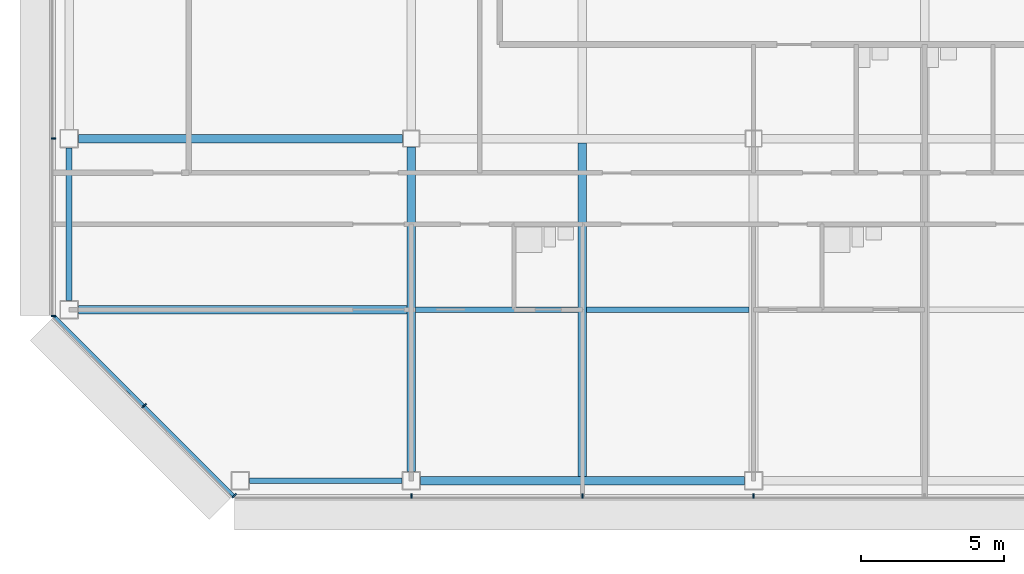
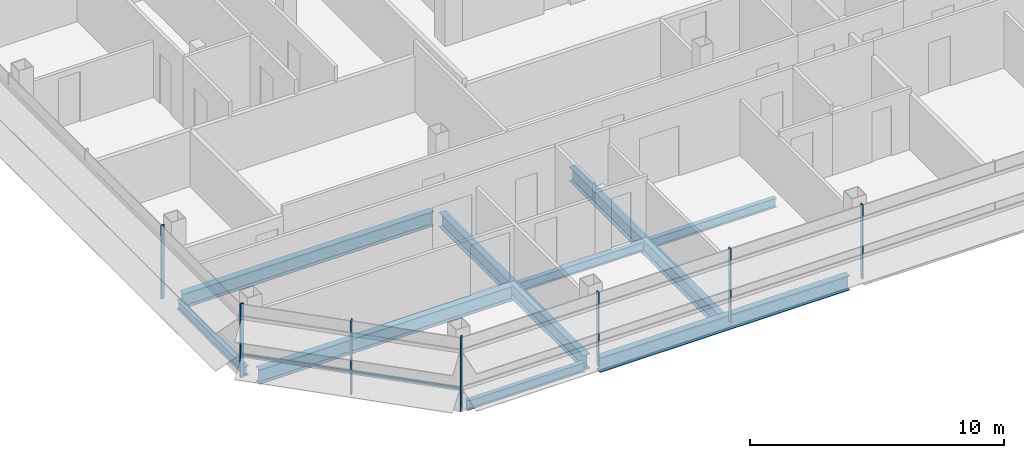
# One storey, part 2 of 27: 9 beams, 8 members, 3 elements without a shape of their own.
"""IFC4 building model written with IfcOpenShell, lengths in metres."""

from ifc_helpers import new_model, si_unit, direction, frame, origin, origin_2d, place, context, subcontext, project, spatial, rectangle, i_section, extrude, material, material_profile, profile_set, type_object, element, aggregate, save


model = new_model("IFC4")

# Units and contexts
model_context = context("Model", 3, precision=1e-05, world=origin(), true_north=direction((0.0, 1.0)))
body_context = subcontext(model_context, "Body", "Model", "MODEL_VIEW")
ifc_project = project(units=[si_unit("LENGTHUNIT", "METRE"), si_unit("AREAUNIT", "SQUARE_METRE"), si_unit("VOLUMEUNIT", "CUBIC_METRE"), si_unit("PLANEANGLEUNIT", "RADIAN"), si_unit("MASSUNIT", "GRAM", prefix="KILO")], contexts=[model_context])

# Site, building, storey
site_placement = place(None, origin())
site = spatial("IfcSite", under=ifc_project, at=site_placement, CompositionType="ELEMENT")
building_placement = place(site_placement, origin())
building = spatial("IfcBuilding", under=site, at=building_placement, Name="Sorahane Residences", CompositionType="ELEMENT")
storey_placement = place(building_placement, frame((0.0, 0.0, 206.39990234375)))
storey = spatial("IfcBuildingStorey", under=building, at=storey_placement, Name="L48", CompositionType="ELEMENT", Elevation=206.39990234375)

# Curtain wall, members
ifc_material_1 = material(Name="Dark low-e glass and black anodised aluminium", Category="aluminium")
curtain_wall_type_1 = type_object("IfcCurtainWallType", Name="Curtain wall CW-1 Typical unitised wall", PredefinedType="NOTDEFINED", material=ifc_material_1)
curtain_wall_1_placement = place(storey_placement, origin())
curtain_wall_1 = element("IfcCurtainWall", 1, at=curtain_wall_1_placement, inside=storey, type_object=curtain_wall_type_1, Name="CW-1 curtain wall L48 S1", PredefinedType="NOTDEFINED")
ifc_material_2 = material(Name="Black anodised aluminium", Category="aluminium")
ifc_material_profile_1 = material_profile(ifc_material_2, rectangle(XDim=0.159912109375, YDim=0.050048828125, at=origin_2d()), Name="Curtain wall mullion CW-1 black anodised aluminium 50x160")
ifc_profile_set_1 = profile_set([ifc_material_profile_1], Name="Black anodised aluminium")
member_type_1 = type_object("IfcMemberType", Name="Curtain wall mullion CW-1 black anodised aluminium 50x160", PredefinedType="MULLION", material=ifc_profile_set_1)
member_1_placement = place(storey_placement, frame((0.0, -0.5400390625, -0.179931640625), z_axis=(0.0, 0.0, 1.0), x_axis=(0.0, -1.0, 0.0)))
member_1 = element("IfcMember", 2, at=member_1_placement, type_object=member_type_1, Name="CW-1 mullion L48 S1.2", PredefinedType="MULLION", context=body_context, shape_type="SweptSolid", body=[
    extrude(rectangle(XDim=0.159912109375, YDim=0.050048828125, at=origin_2d()), origin(), (0.0, 0.0, 1.0), 3.56005859375),
])
member_2_placement = place(storey_placement, frame((6.0, -0.5400390625, -0.179931640625), z_axis=(0.0, 0.0, 1.0), x_axis=(0.0, -1.0, 0.0)))
member_2 = element("IfcMember", 3, at=member_2_placement, type_object=member_type_1, Name="CW-1 mullion L48 S1.3", PredefinedType="MULLION", context=body_context, shape_type="SweptSolid", body=[
    extrude(rectangle(XDim=0.159912109375, YDim=0.050048828125, at=origin_2d()), origin(), (0.0, 0.0, 1.0), 3.56005859375),
])
member_3_placement = place(storey_placement, frame((12.0, -0.5400390625, -0.179931640625), z_axis=(0.0, 0.0, 1.0), x_axis=(0.0, -1.0, 0.0)))
member_3 = element("IfcMember", 4, at=member_3_placement, type_object=member_type_1, Name="CW-1 mullion L48 S1.4", PredefinedType="MULLION", context=body_context, shape_type="SweptSolid", body=[
    extrude(rectangle(XDim=0.159912109375, YDim=0.050048828125, at=origin_2d()), origin(), (0.0, 0.0, 1.0), 3.56005859375),
])
aggregate(curtain_wall_1, [member_1, member_2, member_3])

curtain_wall_2_placement = place(storey_placement, origin())
curtain_wall_2 = element("IfcCurtainWall", 5, at=curtain_wall_2_placement, inside=storey, type_object=curtain_wall_type_1, Name="CW-1 curtain wall L48 W1", PredefinedType="NOTDEFINED")
member_4_placement = place(storey_placement, frame((-12.5400390625, 12.0, -0.179931640625), z_axis=(0.0, 0.0, 1.0), x_axis=(-1.0, 0.0, 0.0)))
member_4 = element("IfcMember", 6, at=member_4_placement, type_object=member_type_1, Name="CW-1 mullion L48 W1.6", PredefinedType="MULLION", context=body_context, shape_type="SweptSolid", body=[
    extrude(rectangle(XDim=0.159912109375, YDim=0.050048828125, at=origin_2d()), origin(), (0.0, 0.0, 1.0), 3.56005859375),
])
member_5_placement = place(storey_placement, frame((-12.5400390625, 5.7763671875, -0.179931640625), z_axis=(0.0, 0.0, 1.0), x_axis=(-1.0, 0.0, 0.0)))
member_5 = element("IfcMember", 7, at=member_5_placement, type_object=member_type_1, Name="CW-1 mullion L48 W1.7", PredefinedType="MULLION", context=body_context, shape_type="SweptSolid", body=[
    extrude(rectangle(XDim=0.159912109375, YDim=0.050048828125, at=origin_2d()), origin(), (0.0, 0.0, 1.0), 3.56005859375),
])
aggregate(curtain_wall_2, [member_4, member_5])

ifc_material_3 = material(Name="Dark low-e glass and black anodised aluminium", Category="aluminium")
curtain_wall_type_2 = type_object("IfcCurtainWallType", Name="Curtain wall CW-2 Chamfer unitised wall", PredefinedType="NOTDEFINED", material=ifc_material_3)
curtain_wall_3_placement = place(storey_placement, origin())
curtain_wall_3 = element("IfcCurtainWall", 8, at=curtain_wall_3_placement, inside=storey, type_object=curtain_wall_type_2, Name="CW-2 curtain wall L48 SW1", PredefinedType="NOTDEFINED")
ifc_material_4 = material(Name="Black anodised aluminium", Category="aluminium")
ifc_material_profile_2 = material_profile(ifc_material_4, rectangle(XDim=0.199951171875, YDim=0.050048828125, at=origin_2d()), Name="Curtain wall mullion CW-2 black anodised aluminium 50x200")
ifc_profile_set_2 = profile_set([ifc_material_profile_2], Name="Black anodised aluminium")
member_type_2 = type_object("IfcMemberType", Name="Curtain wall mullion CW-2 black anodised aluminium 50x200", PredefinedType="MULLION", material=ifc_profile_set_2)
member_6_placement = place(storey_placement, frame((-9.36767578125, 2.63232421875, -0.179931640625), z_axis=(0.0, 0.0, 1.0), x_axis=(-0.707106781187, -0.707106781187, 0.0)))
member_6 = element("IfcMember", 9, at=member_6_placement, type_object=member_type_2, Name="CW-2 mullion L48 SW1.2", PredefinedType="MULLION", context=body_context, shape_type="SweptSolid", body=[
    extrude(rectangle(XDim=0.199951171875, YDim=0.050048828125, at=origin_2d()), origin(), (0.0, 0.0, 1.0), 3.56005859375),
])
member_7_placement = place(storey_placement, frame((-6.209716796875, -0.525634765625, -0.179931640625), z_axis=(0.0, 0.0, 1.0), x_axis=(-0.707106781187, -0.707106781187, 0.0)))
member_7 = element("IfcMember", 10, at=member_7_placement, type_object=member_type_2, Name="CW-2 mullion L48 SW1.3", PredefinedType="MULLION", context=body_context, shape_type="SweptSolid", body=[
    extrude(rectangle(XDim=0.199951171875, YDim=0.050048828125, at=origin_2d()), origin(), (0.0, 0.0, 1.0), 3.56005859375),
])
ifc_material_5 = material(Name="Black anodised aluminium", Category="aluminium")
ifc_material_profile_3 = material_profile(ifc_material_5, rectangle(XDim=0.10009765625, YDim=0.06005859375, at=origin_2d()), Name="Curtain wall transom CW-2 black anodised aluminium 60x100")
ifc_profile_set_3 = profile_set([ifc_material_profile_3], Name="Black anodised aluminium")
member_type_3 = type_object("IfcMemberType", Name="Curtain wall transom CW-2 black anodised aluminium 60x100", PredefinedType="USERDEFINED", material=ifc_profile_set_3)
member_8_placement = place(storey_placement, frame((-12.51513671875, 5.765625, 0.900146484375), z_axis=(0.707106781187, -0.707106781187, 0.0), x_axis=(0.707106781187, 0.707106781187, 0.0)))
member_8 = element("IfcMember", 11, at=member_8_placement, type_object=member_type_3, Name="CW-2 transom L48 SW1", ObjectType="TRANSOM", PredefinedType="USERDEFINED", context=body_context, shape_type="SweptSolid", body=[
    extrude(rectangle(XDim=0.10009765625, YDim=0.06005859375, at=origin_2d()), origin(), (0.0, 0.0, 1.0), 8.88232421875),
])
aggregate(curtain_wall_3, [member_6, member_7, member_8])

# Beams
ifc_material_6 = material(Name="Steel Q355B", Category="steel")
ifc_material_profile_4 = material_profile(ifc_material_6, i_section(OverallWidth=0.199951171875, OverallDepth=0.449951171875, WebThickness=0.009033203125, FlangeThickness=0.013916015625, FilletRadius=0.02001953125, at=origin_2d()), Name="HN 450x200x9x14")
ifc_profile_set_4 = profile_set([ifc_material_profile_4], Name="Steel Q355B")
beam_type_1 = type_object("IfcBeamType", Name="Steel floor beam HN 450x200x9x14 Q355B", PredefinedType="BEAM", material=ifc_profile_set_4)
for number, where, z_axis, x_axis, name in (
    (12, (-5.675048828125, 0.0, -0.40478515625), (1.0, 0.0, 0.0), (0.0, 1.0, 0.0), "Beam L48 000"),
    (13, (-12.0, 6.324951171875, -0.40478515625), (0.0, 1.0, 0.0), (-1.0, 0.0, 0.0), "Beam L48 020"),
):
    element("IfcBeam", number, at=place(storey_placement, frame(where, z_axis=z_axis, x_axis=x_axis)), inside=storey, type_object=beam_type_1, Name=name, PredefinedType="BEAM", context=body_context, shape_type="SweptSolid", body=[
        extrude(i_section(OverallWidth=0.199951171875, OverallDepth=0.449951171875, WebThickness=0.009033203125, FlangeThickness=0.013916015625, FilletRadius=0.02001953125, at=origin_2d()), origin(), (0.0, 0.0, 1.0), 5.35009765625),
    ])
for number, where, z_axis, x_axis, name in (
    (14, (0.14990234375, 6.0, -0.40478515625), (1.0, 0.0, 0.0), (0.0, 1.0, 0.0), "Beam L48 069"),
    (15, (6.14990234375, 6.0, -0.40478515625), (1.0, 0.0, 0.0), (0.0, 1.0, 0.0), "Beam L48 070"),
):
    element("IfcBeam", number, at=place(storey_placement, frame(where, z_axis=z_axis, x_axis=x_axis)), inside=storey, type_object=beam_type_1, Name=name, PredefinedType="BEAM", context=body_context, shape_type="SweptSolid", body=[
        extrude(i_section(OverallWidth=0.199951171875, OverallDepth=0.449951171875, WebThickness=0.009033203125, FlangeThickness=0.013916015625, FilletRadius=0.02001953125, at=origin_2d()), origin(), (0.0, 0.0, 1.0), 5.7001953125),
    ])
ifc_material_7 = material(Name="Steel Q355B", Category="steel")
ifc_material_profile_5 = material_profile(ifc_material_7, i_section(OverallWidth=0.300048828125, OverallDepth=0.699951171875, WebThickness=0.012939453125, FlangeThickness=0.02392578125, FilletRadius=0.028076171875, at=origin_2d()), Name="HN 700x300x13x24")
ifc_profile_set_5 = profile_set([ifc_material_profile_5], Name="Steel Q355B")
beam_type_2 = type_object("IfcBeamType", Name="Steel floor beam HN 700x300x13x24 Q355B", PredefinedType="BEAM", material=ifc_profile_set_5)
beam_1_placement = place(storey_placement, frame((0.324951171875, 0.0, -0.52978515625), z_axis=(1.0, 0.0, 0.0), x_axis=(0.0, 1.0, 0.0)))
element("IfcBeam", 16, at=beam_1_placement, inside=storey, type_object=beam_type_2, Name="Beam L48 001", PredefinedType="BEAM", context=body_context, shape_type="SweptSolid", body=[
    extrude(i_section(OverallWidth=0.300048828125, OverallDepth=0.699951171875, WebThickness=0.012939453125, FlangeThickness=0.02392578125, FilletRadius=0.028076171875, at=origin_2d()), origin(), (0.0, 0.0, 1.0), 11.35009765625),
])
for number, where, z_axis, x_axis, name in (
    (17, (-11.675048828125, 12.0, -0.52978515625), (1.0, 0.0, 0.0), (0.0, 1.0, 0.0), "Beam L48 005"),
    (18, (0.0, 0.324951171875, -0.52978515625), (0.0, 1.0, 0.0), (-1.0, 0.0, 0.0), "Beam L48 024"),
):
    element("IfcBeam", number, at=place(storey_placement, frame(where, z_axis=z_axis, x_axis=x_axis)), inside=storey, type_object=beam_type_2, Name=name, PredefinedType="BEAM", context=body_context, shape_type="SweptSolid", body=[
        extrude(i_section(OverallWidth=0.300048828125, OverallDepth=0.699951171875, WebThickness=0.012939453125, FlangeThickness=0.02392578125, FilletRadius=0.028076171875, at=origin_2d()), origin(), (0.0, 0.0, 1.0), 11.375),
    ])
beam_2_placement = place(storey_placement, frame((6.0, 0.14990234375, -0.52978515625), z_axis=(0.0, 1.0, 0.0), x_axis=(-1.0, 0.0, 0.0)))
element("IfcBeam", 19, at=beam_2_placement, inside=storey, type_object=beam_type_2, Name="Beam L48 028", PredefinedType="BEAM", context=body_context, shape_type="SweptSolid", body=[
    extrude(i_section(OverallWidth=0.300048828125, OverallDepth=0.699951171875, WebThickness=0.012939453125, FlangeThickness=0.02392578125, FilletRadius=0.028076171875, at=origin_2d()), origin(), (0.0, 0.0, 1.0), 11.7001953125),
])
beam_3_placement = place(storey_placement, frame((-11.675048828125, 6.0, -0.52978515625), z_axis=(1.0, 0.0, 0.0), x_axis=(0.0, 1.0, 0.0)))
element("IfcBeam", 20, at=beam_3_placement, inside=storey, type_object=beam_type_2, Name="Beam L48 068", PredefinedType="BEAM", context=body_context, shape_type="SweptSolid", body=[
    extrude(i_section(OverallWidth=0.300048828125, OverallDepth=0.699951171875, WebThickness=0.012939453125, FlangeThickness=0.02392578125, FilletRadius=0.028076171875, at=origin_2d()), origin(), (0.0, 0.0, 1.0), 11.525146484375),
])

save(model, "model.ifc")
